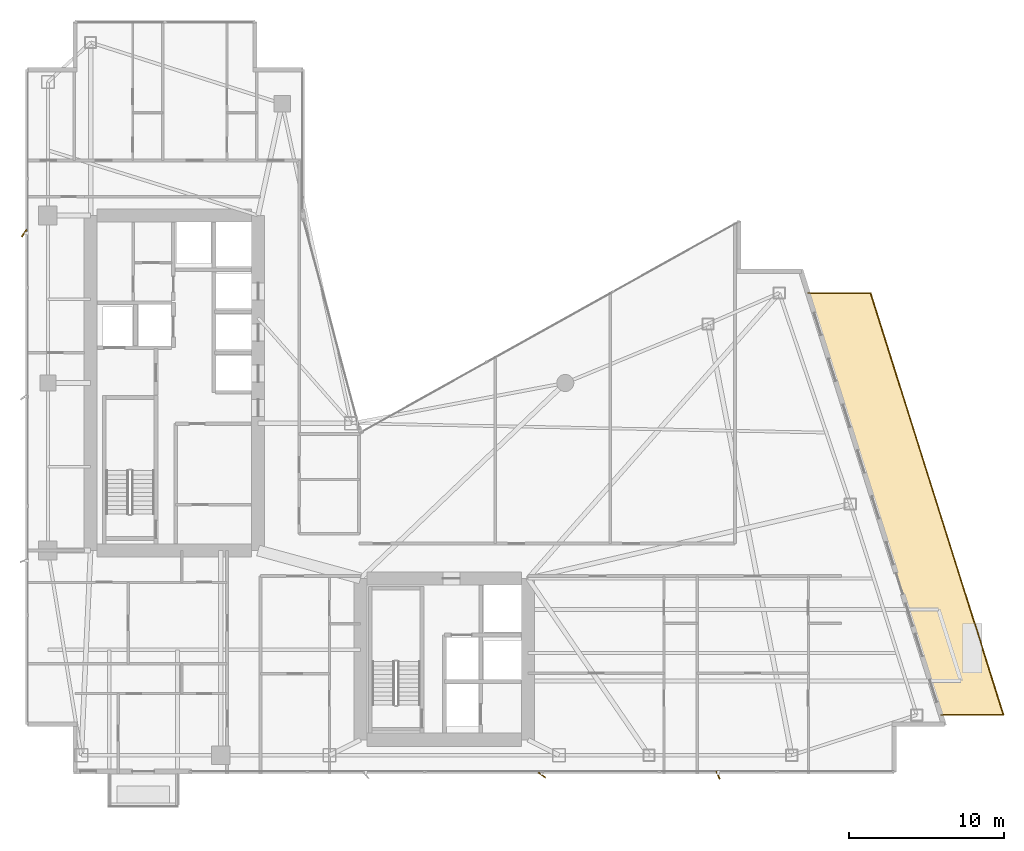
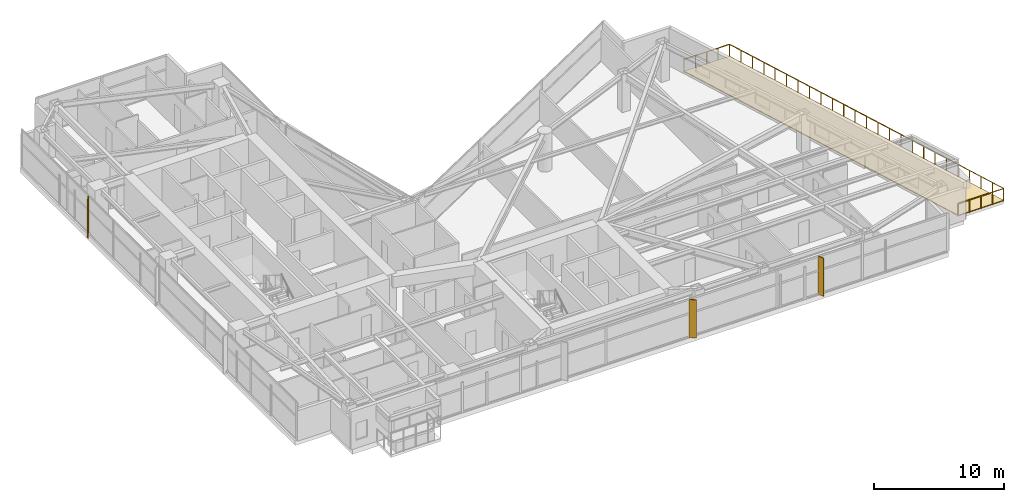
# One storey, part 28 of 28: 3 shading devices, 1 covering, 1 railing.
"""IFC4 building model written with IfcOpenShell, lengths in metres."""

import ifcopenshell
import ifcopenshell.guid

model = None  # the IFC model being written
_history = None  # IfcOwnerHistory: only IFC2X3 demands one
_inside = {}  # id of a spatial element -> (the spatial element, [elements in it])
_under = {}  # id of a project, library or spatial element -> (it, [spatial elements below it])
_declared = {}  # id of a project -> (the project, [libraries it declares])
_typed = {}  # id of a type object -> (the type object, [elements of that type])
_made_of = {}  # id of a material, layer set ... -> (it, [elements and type objects made of it])


def new_model(schema):
    """Start an empty IFC model of exactly this schema.

    Asked for "IFC4X3", IfcOpenShell would pick the latest addendum, in which some entities
    have other attributes; the version numbers below select the first issue.
    IFC2X3 requires an IfcOwnerHistory on every rooted entity: one is made here for all.
    """
    global model, _history
    if schema == "IFC4X3":
        model = ifcopenshell.file(schema_version=(4, 3, 0, 0))
    else:
        model = ifcopenshell.file(schema=schema)
    _inside.clear()
    _under.clear()
    _declared.clear()
    _typed.clear()
    _made_of.clear()
    _history = None
    if model.schema == "IFC2X3":
        org = make("IfcOrganization", Name="unknown")
        user = make(
            "IfcPersonAndOrganization",
            ThePerson=make("IfcPerson", FamilyName="unknown"),
            TheOrganization=org,
        )
        app = make(
            "IfcApplication",
            ApplicationDeveloper=org,
            Version="unknown",
            ApplicationFullName="unknown",
            ApplicationIdentifier="unknown",
        )
        _history = make(
            "IfcOwnerHistory",
            OwningUser=user,
            OwningApplication=app,
            ChangeAction="ADDED",
            CreationDate=0,
        )
    return model


def make(cls, **values):
    """One entity of the class cls with the attributes given. An attribute that is None is left unset."""
    return model.create_entity(
        cls, **{name: value for name, value in values.items() if value is not None}
    )


def rooted(cls, **values):
    """An entity with a GlobalId (a new one), such as an element, a storey or a relation."""
    return make(cls, GlobalId=ifcopenshell.guid.new(), OwnerHistory=_history, **values)


def si_unit(unit_type, name, prefix=None):
    """IfcSIUnit, for example si_unit("LENGTHUNIT", "METRE", prefix="MILLI")."""
    return make("IfcSIUnit", UnitType=unit_type, Prefix=prefix, Name=name)


def assignment(units):
    """IfcUnitAssignment: the units of a project."""
    return None if units is None else make("IfcUnitAssignment", Units=units)


def point(xyz):
    """IfcCartesianPoint."""
    return None if xyz is None else make("IfcCartesianPoint", Coordinates=xyz)


def direction(xyz):
    """IfcDirection."""
    return None if xyz is None else make("IfcDirection", DirectionRatios=xyz)


def frame(location, z_axis=None, x_axis=None):
    """IfcAxis2Placement3D, a coordinate frame: its origin and axes. An axis left out is left unset."""
    return make(
        "IfcAxis2Placement3D",
        Location=point(location),
        Axis=direction(z_axis),
        RefDirection=direction(x_axis),
    )


def frame_2d(location, x_axis=None):
    """IfcAxis2Placement2D, a coordinate frame in the plane: its origin and x axis."""
    return make(
        "IfcAxis2Placement2D", Location=point(location), RefDirection=direction(x_axis)
    )


def origin():
    """The frame at (0, 0, 0) with its axes left unset."""
    return frame((0.0, 0.0, 0.0))


def origin_2d():
    """The frame at (0, 0) in the plane with its x axis left unset."""
    return frame_2d((0.0, 0.0))


def place(relative_to, where):
    """IfcLocalPlacement: puts the frame where relative to a parent placement (None: the world)."""
    return make(
        "IfcLocalPlacement", PlacementRelTo=relative_to, RelativePlacement=where
    )


def context(
    kind, dimensions, precision=None, world=None, true_north=None, identifier=None
):
    """IfcGeometricRepresentationContext, for example the 3D "Model" context."""
    return make(
        "IfcGeometricRepresentationContext",
        ContextIdentifier=identifier,
        ContextType=kind,
        CoordinateSpaceDimension=dimensions,
        Precision=precision,
        WorldCoordinateSystem=world,
        TrueNorth=true_north,
    )


def subcontext(parent, identifier, kind, view, scale=None):
    """IfcGeometricRepresentationSubContext, for example "Body" below "Model"."""
    return make(
        "IfcGeometricRepresentationSubContext",
        ContextIdentifier=identifier,
        ContextType=kind,
        ParentContext=parent,
        TargetScale=scale,
        TargetView=view,
    )


def project(units=None, contexts=None):
    """IfcProject with its units and contexts."""
    return rooted(
        "IfcProject",
        Name="project",
        RepresentationContexts=contexts,
        UnitsInContext=assignment(units),
    )


def spatial(cls, under=None, at=None, **own):
    """A site, building, storey or space (cls), placed at a placement, below another one or the project."""
    s = rooted(cls, ObjectPlacement=at, **own)
    if under is not None:
        _under.setdefault(under.id(), (under, []))[1].append(s)
    return s


def polyline(points):
    """IfcPolyline through the points."""
    return make("IfcPolyline", Points=[point(p) for p in points])


def profile(cls, at=None, kind="AREA", **sizes):
    """A parametric profile (cls). Its sizes go by their IFC names, for example OverallWidth=200.0."""
    return make(cls, ProfileType=kind, Position=at, **sizes)


def rectangle(**sizes):
    """IfcRectangleProfileDef."""
    return profile("IfcRectangleProfileDef", **sizes)


def circle(**sizes):
    """IfcCircleProfileDef."""
    return profile("IfcCircleProfileDef", **sizes)


def outline(outer, holes=None, kind="AREA"):
    """IfcArbitraryClosedProfileDef: a profile drawn as a closed curve; with holes, ...WithVoids."""
    if holes is None:
        return make("IfcArbitraryClosedProfileDef", ProfileType=kind, OuterCurve=outer)
    return make(
        "IfcArbitraryProfileDefWithVoids",
        ProfileType=kind,
        OuterCurve=outer,
        InnerCurves=holes,
    )


def extrude(swept, where, along, depth):
    """IfcExtrudedAreaSolid: the profile swept, set in the frame where, extruded along a direction by depth."""
    return make(
        "IfcExtrudedAreaSolid",
        SweptArea=swept,
        Position=where,
        ExtrudedDirection=direction(along),
        Depth=depth,
    )


def shape(context_of_items, identifier, shape_type, items):
    """IfcShapeRepresentation: the items that make up one representation, for example the "Body"."""
    return make(
        "IfcShapeRepresentation",
        ContextOfItems=context_of_items,
        RepresentationIdentifier=identifier,
        RepresentationType=shape_type,
        Items=items,
    )


def material(Name=None, Category=None):
    """IfcMaterial."""
    return make("IfcMaterial", Name=Name, Category=Category)


def layer(
    of_material, thickness, ventilated=None, Name=None, Category=None, Priority=None
):
    """IfcMaterialLayer: one layer of a wall or slab, of a material (None: an air gap)."""
    return make(
        "IfcMaterialLayer",
        Material=of_material,
        LayerThickness=thickness,
        IsVentilated=ventilated,
        Name=Name,
        Category=Category,
        Priority=Priority,
    )


def layer_set(layers, Name=None):
    """IfcMaterialLayerSet."""
    return make("IfcMaterialLayerSet", MaterialLayers=layers, LayerSetName=Name)


def made_of(thing, what):
    """Note that an element or type object is made of a material, layer set ...; save() writes the relation."""
    if what is not None:
        _made_of.setdefault(what.id(), (what, []))[1].append(thing)
    return thing


def type_object(cls, material=None, **own):
    """A type object (cls), such as IfcWallType, which elements share."""
    return made_of(rooted(cls, **own), material)


def element(
    cls,
    number,
    at=None,
    inside=None,
    cuts=None,
    type_object=None,
    material=None,
    context=None,
    identifier="Body",
    shape_type=None,
    held_by="IfcProductDefinitionShape",
    body=None,
    shapes=None,
    **own,
):
    """One element of the class cls, such as IfcWall. Its Tag is "e" and its number.

    at: its placement. inside: the storey or other place that contains it. cuts: it is an
    opening in that element (IfcRelVoidsElement). A single representation is given by context,
    identifier, shape_type and body (its items); several are given by shapes. held_by: the class
    of the entity that holds the representations. save() writes the other relations.
    """
    e = rooted(cls, Tag="e%d" % number, ObjectPlacement=at, **own)
    if body is not None:
        shapes = [shape(context, identifier, shape_type, body)]
    if shapes is not None:
        e.Representation = make(held_by, Representations=shapes)
    if inside is not None:
        _inside.setdefault(inside.id(), (inside, []))[1].append(e)
    if cuts is not None:
        rooted(
            "IfcRelVoidsElement", RelatingBuildingElement=cuts, RelatedOpeningElement=e
        )
    if type_object is not None:
        _typed.setdefault(type_object.id(), (type_object, []))[1].append(e)
    return made_of(e, material)


def aggregate(whole, parts):
    """IfcRelAggregates: a whole, such as a stair, and the parts it consists of."""
    return rooted("IfcRelAggregates", RelatingObject=whole, RelatedObjects=parts)


def save(model, path):
    """Write the relations noted so far, then the file.

    IfcRelAggregates (storeys below a building ...), IfcRelContainedInSpatialStructure (elements
    in a storey), IfcRelDefinesByType, IfcRelAssociatesMaterial and IfcRelDeclares: one each for
    every whole, place, type object, material and project.
    """
    for whole, parts in _under.values():
        aggregate(whole, parts)
    for where, things in _inside.values():
        rooted(
            "IfcRelContainedInSpatialStructure",
            RelatedElements=things,
            RelatingStructure=where,
        )
    for kind, things in _typed.values():
        rooted("IfcRelDefinesByType", RelatedObjects=things, RelatingType=kind)
    for what, things in _made_of.values():
        rooted("IfcRelAssociatesMaterial", RelatedObjects=things, RelatingMaterial=what)
    for by, libraries in _declared.values():
        rooted("IfcRelDeclares", RelatingContext=by, RelatedDefinitions=libraries)
    model.write(path)


model = new_model("IFC4")

# Units and contexts
model_context = context("Model", 3, precision=1e-05, world=origin(), true_north=direction((0.0, 1.0)))
body_context = subcontext(model_context, "Body", "Model", "MODEL_VIEW")
ifc_project = project(units=[si_unit("LENGTHUNIT", "METRE"), si_unit("AREAUNIT", "SQUARE_METRE"), si_unit("VOLUMEUNIT", "CUBIC_METRE"), si_unit("PLANEANGLEUNIT", "RADIAN"), si_unit("MASSUNIT", "GRAM", prefix="KILO")], contexts=[model_context])

# Site, building, storey
site_placement = place(None, origin())
site = spatial("IfcSite", under=ifc_project, at=site_placement, CompositionType="ELEMENT")
building_placement = place(site_placement, origin())
building = spatial("IfcBuilding", under=site, at=building_placement, Name="Calvorn Quay Hotel", CompositionType="ELEMENT")
storey_placement = place(building_placement, frame((0.0, 0.0, 97.39990234375)))
storey = spatial("IfcBuildingStorey", under=building, at=storey_placement, Name="L23", CompositionType="ELEMENT", Elevation=97.39990234375)

# Covering
ifc_material_1 = material(Name="Insulated Elastomeric Waterproof Roofing")
ifc_layer = layer(ifc_material_1, 0.080078125)
ifc_layer_set = layer_set([ifc_layer], Name="COV-ROOF-MEMBRANE")
covering_type = type_object("IfcCoveringType", Name="COV-ROOF-MEMBRANE", PredefinedType="ROOFING", material=ifc_layer_set)
covering_placement = place(storey_placement, origin())
element("IfcCovering", 1, at=covering_placement, inside=storey, type_object=covering_type, Name="Setback Terrace Waterproofing (L23)", PredefinedType="ROOFING", context=body_context, shape_type="SweptSolid", body=[
    extrude(outline(polyline([(59.031005859375, 6.199951171875), (63.06103515625, 6.199951171875), (54.490966796875, 33.39990234375), (50.4609375, 33.39990234375), (59.031005859375, 6.199951171875)])), origin(), (0.0, 0.0, 1.0), 0.080078125),
])

# Railing
ifc_material_2 = material(Name="Pale Anodised Aluminium and Laminated Glass", Category="aluminium")
railing_type = type_object("IfcRailingType", Name="RLG-BALUSTRADE-1200", PredefinedType="BALUSTRADE", material=ifc_material_2)
railing_placement = place(storey_placement, frame((59.031005859375, 6.199951171875, 0.0)))
element("IfcRailing", 2, at=railing_placement, inside=storey, type_object=railing_type, Name="Sawtooth Setback Terrace Balustrade (L23)", PredefinedType="BALUSTRADE", context=body_context, shape_type="SweptSolid", body=[
    extrude(circle(Radius=0.02392578125, at=origin_2d()), frame((0.0, 0.0, 1.17578125), z_axis=(1.0, 0.0, 0.0), x_axis=(0.0, 1.0, 0.0)), (0.0, 0.0, 1.0), 4.030029296875),
    extrude(circle(Radius=0.02392578125, at=origin_2d()), frame((4.030029296875, 0.0, 1.17578125), z_axis=(-0.300513044248, 0.953777704833, 0.0), x_axis=(-0.953777704833, -0.300513044248, 0.0)), (0.0, 0.0, 1.0), 28.51806640625),
    extrude(circle(Radius=0.02392578125, at=origin_2d()), frame((-4.5400390625, 27.199951171875, 1.17578125), z_axis=(-1.0, 0.0, 0.0), x_axis=(0.0, -1.0, 0.0)), (0.0, 0.0, 1.0), 4.030029296875),
    extrude(circle(Radius=0.02099609375, at=origin_2d()), origin(), (0.0, 0.0, 1.0), 1.15185546875),
    extrude(circle(Radius=0.02099609375, at=origin_2d()), frame((1.007568359375, 0.0, 0.0)), (0.0, 0.0, 1.0), 1.15185546875),
    extrude(circle(Radius=0.02099609375, at=origin_2d()), frame((2.01513671875, 0.0, 0.0)), (0.0, 0.0, 1.0), 1.15185546875),
    extrude(circle(Radius=0.02099609375, at=origin_2d()), frame((3.0224609375, 0.0, 0.0)), (0.0, 0.0, 1.0), 1.15185546875),
    extrude(circle(Radius=0.02099609375, at=origin_2d()), frame((4.030029296875, 0.0, 0.0)), (0.0, 0.0, 1.0), 1.15185546875),
    extrude(circle(Radius=0.02099609375, at=origin_2d()), frame((3.6728515625, 1.13330078125, 0.0)), (0.0, 0.0, 1.0), 1.15185546875),
    extrude(circle(Radius=0.02099609375, at=origin_2d()), frame((3.31591796875, 2.2666015625, 0.0)), (0.0, 0.0, 1.0), 1.15185546875),
    extrude(circle(Radius=0.02099609375, at=origin_2d()), frame((2.958740234375, 3.39990234375, 0.0)), (0.0, 0.0, 1.0), 1.15185546875),
    extrude(circle(Radius=0.02099609375, at=origin_2d()), frame((2.6015625, 4.533203125, 0.0)), (0.0, 0.0, 1.0), 1.15185546875),
    extrude(circle(Radius=0.02099609375, at=origin_2d()), frame((2.24462890625, 5.666748046875, 0.0)), (0.0, 0.0, 1.0), 1.15185546875),
    extrude(circle(Radius=0.02099609375, at=origin_2d()), frame((1.887451171875, 6.800048828125, 0.0)), (0.0, 0.0, 1.0), 1.15185546875),
    extrude(circle(Radius=0.02099609375, at=origin_2d()), frame((1.530517578125, 7.933349609375, 0.0)), (0.0, 0.0, 1.0), 1.15185546875),
    extrude(circle(Radius=0.02099609375, at=origin_2d()), frame((1.17333984375, 9.066650390625, 0.0)), (0.0, 0.0, 1.0), 1.15185546875),
    extrude(circle(Radius=0.02099609375, at=origin_2d()), frame((0.816162109375, 10.199951171875, 0.0)), (0.0, 0.0, 1.0), 1.15185546875),
    extrude(circle(Radius=0.02099609375, at=origin_2d()), frame((0.459228515625, 11.333251953125, 0.0)), (0.0, 0.0, 1.0), 1.15185546875),
    extrude(circle(Radius=0.02099609375, at=origin_2d()), frame((0.10205078125, 12.466552734375, 0.0)), (0.0, 0.0, 1.0), 1.15185546875),
    extrude(circle(Radius=0.02099609375, at=origin_2d()), frame((-0.2548828125, 13.60009765625, 0.0)), (0.0, 0.0, 1.0), 1.15185546875),
    extrude(circle(Radius=0.02099609375, at=origin_2d()), frame((-0.612060546875, 14.7333984375, 0.0)), (0.0, 0.0, 1.0), 1.15185546875),
    extrude(circle(Radius=0.02099609375, at=origin_2d()), frame((-0.96923828125, 15.86669921875, 0.0)), (0.0, 0.0, 1.0), 1.15185546875),
    extrude(circle(Radius=0.02099609375, at=origin_2d()), frame((-1.326171875, 17.0, 0.0)), (0.0, 0.0, 1.0), 1.15185546875),
    extrude(circle(Radius=0.02099609375, at=origin_2d()), frame((-1.683349609375, 18.13330078125, 0.0)), (0.0, 0.0, 1.0), 1.15185546875),
    extrude(circle(Radius=0.02099609375, at=origin_2d()), frame((-2.04052734375, 19.2666015625, 0.0)), (0.0, 0.0, 1.0), 1.15185546875),
    extrude(circle(Radius=0.02099609375, at=origin_2d()), frame((-2.3974609375, 20.39990234375, 0.0)), (0.0, 0.0, 1.0), 1.15185546875),
    extrude(circle(Radius=0.02099609375, at=origin_2d()), frame((-2.754638671875, 21.533203125, 0.0)), (0.0, 0.0, 1.0), 1.15185546875),
    extrude(circle(Radius=0.02099609375, at=origin_2d()), frame((-3.11181640625, 22.66650390625, 0.0)), (0.0, 0.0, 1.0), 1.15185546875),
    extrude(circle(Radius=0.02099609375, at=origin_2d()), frame((-3.46875, 23.800048828125, 0.0)), (0.0, 0.0, 1.0), 1.15185546875),
    extrude(circle(Radius=0.02099609375, at=origin_2d()), frame((-3.825927734375, 24.933349609375, 0.0)), (0.0, 0.0, 1.0), 1.15185546875),
    extrude(circle(Radius=0.02099609375, at=origin_2d()), frame((-4.182861328125, 26.066650390625, 0.0)), (0.0, 0.0, 1.0), 1.15185546875),
    extrude(circle(Radius=0.02099609375, at=origin_2d()), frame((-4.5400390625, 27.199951171875, 0.0)), (0.0, 0.0, 1.0), 1.15185546875),
    extrude(circle(Radius=0.02099609375, at=origin_2d()), frame((-5.547607421875, 27.199951171875, 0.0)), (0.0, 0.0, 1.0), 1.15185546875),
    extrude(circle(Radius=0.02099609375, at=origin_2d()), frame((-6.55517578125, 27.199951171875, 0.0)), (0.0, 0.0, 1.0), 1.15185546875),
    extrude(circle(Radius=0.02099609375, at=origin_2d()), frame((-7.5625, 27.199951171875, 0.0)), (0.0, 0.0, 1.0), 1.15185546875),
    extrude(circle(Radius=0.02099609375, at=origin_2d()), frame((-8.570068359375, 27.199951171875, 0.0)), (0.0, 0.0, 1.0), 1.15185546875),
])

# Shading devices
ifc_material_3 = material(Name="Champagne Bronze Anodised Aluminium 6063-T6", Category="aluminium")
shading_device_type_1 = type_object("IfcShadingDeviceType", Name="SHD-FIN-A1", PredefinedType="USERDEFINED", material=ifc_material_3)
shading_device_placement = place(storey_placement, frame((44.64990234375, 2.320068359375, 0.0), z_axis=(0.0, 0.0, 1.0), x_axis=(-0.374606593416, 0.927183854567, 0.0)))
element("IfcShadingDevice", 3, at=shading_device_placement, inside=storey, type_object=shading_device_type_1, Name="Diagonal Sun-Shading Fin L23-S03", ObjectType="FIN", PredefinedType="USERDEFINED", context=body_context, shape_type="SweptSolid", body=[
    extrude(rectangle(XDim=0.550048828125, YDim=0.080078125, at=origin_2d()), origin(), (0.0, 0.0, 1.0), 3.56005859375),
])
ifc_material_4 = material(Name="Champagne Bronze Anodised Aluminium 6063-T6", Category="aluminium")
shading_device_type_2 = type_object("IfcShadingDeviceType", Name="SHD-FIN-A3", PredefinedType="USERDEFINED", material=ifc_material_4)
for number, where, z_axis, x_axis, name in (
    (4, (-0.080078125, 37.25, 0.0), (0.0, 0.0, 1.0), (0.587785252292, 0.809016994375, 0.0), "Diagonal Sun-Shading Fin L23-W03"),
    (5, (33.300048828125, 2.320068359375, 0.0), (0.0, 0.0, 1.0), (-0.809016994375, 0.587785252292, 0.0), "Diagonal Sun-Shading Fin L23-S02"),
):
    element("IfcShadingDevice", number, at=place(storey_placement, frame(where, z_axis=z_axis, x_axis=x_axis)), inside=storey, type_object=shading_device_type_2, Name=name, ObjectType="FIN", PredefinedType="USERDEFINED", context=body_context, shape_type="SweptSolid", body=[
        extrude(rectangle(XDim=0.550048828125, YDim=0.080078125, at=origin_2d()), origin(), (0.0, 0.0, 1.0), 3.56005859375),
    ])

save(model, "model.ifc")
